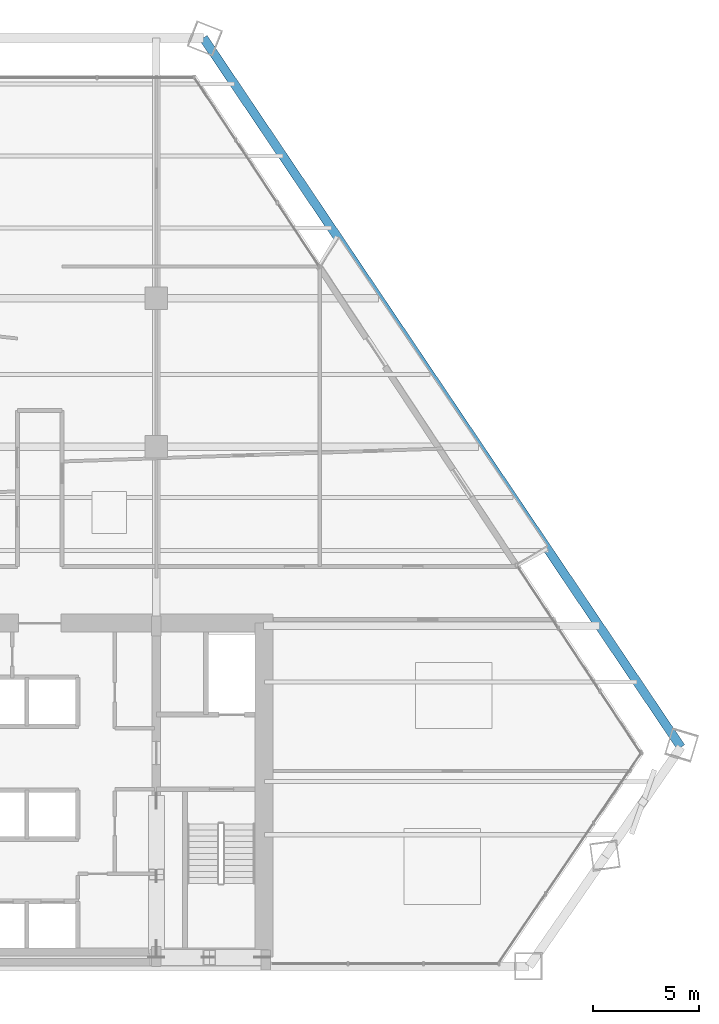
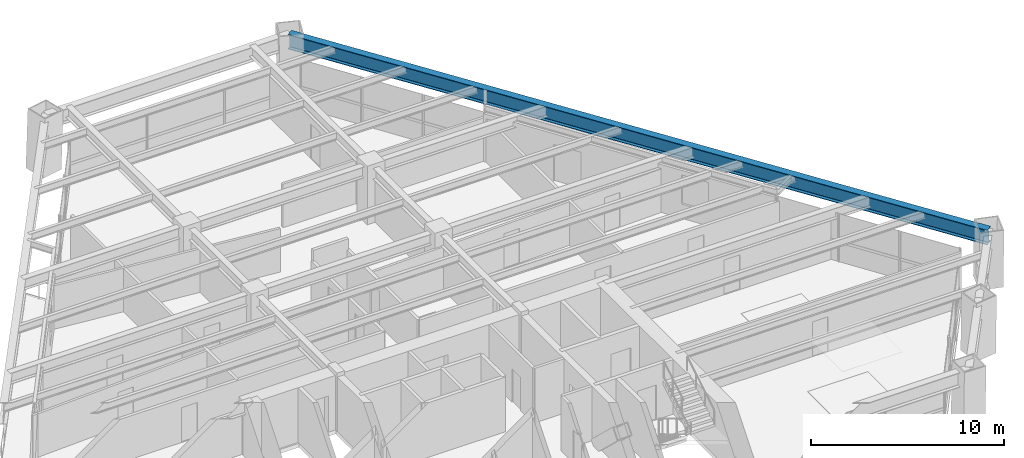
# One storey, part 7 of 14: 1 beam.
"""IFC4 building model written with IfcOpenShell, lengths in metres."""

from ifc_helpers import new_model, si_unit, direction, frame, origin, origin_2d, place, context, subcontext, project, spatial, i_section, extrude, source, transform, mapped, material, material_profile, profile_set, type_object, element, save


model = new_model("IFC4")

# Units and contexts
model_context = context("Model", 3, precision=1e-05, world=origin(), true_north=direction((0.0, 1.0)))
body_context = subcontext(model_context, "Body", "Model", "MODEL_VIEW")
ifc_project = project(units=[si_unit("LENGTHUNIT", "METRE"), si_unit("AREAUNIT", "SQUARE_METRE"), si_unit("VOLUMEUNIT", "CUBIC_METRE"), si_unit("PLANEANGLEUNIT", "RADIAN"), si_unit("MASSUNIT", "GRAM", prefix="KILO")], contexts=[model_context])

# Site, building, storey
site_placement = place(None, origin())
site = spatial("IfcSite", under=ifc_project, at=site_placement, CompositionType="ELEMENT")
building_placement = place(site_placement, origin())
building = spatial("IfcBuilding", under=site, at=building_placement, Name="Varnakhor Terracotta Tower", CompositionType="ELEMENT")
storey_placement = place(building_placement, frame((0.0, 0.0, 64.5)))
storey = spatial("IfcBuildingStorey", under=building, at=storey_placement, Name="L15", CompositionType="ELEMENT", Elevation=64.5)

# Beam
ifc_material = material(Name="Steel S355", Category="steel")
ifc_material_profile = material_profile(ifc_material, i_section(OverallWidth=0.41796875, OverallDepth=0.927001953125, WebThickness=0.01904296875, FlangeThickness=0.031982421875, FilletRadius=0.01806640625, at=origin_2d()), Name="W36X231")
ifc_profile_set = profile_set([ifc_material_profile], Name="Steel S355")
beam_type = type_object("IfcBeamType", Name="BM-W36X231", PredefinedType="BEAM", material=ifc_profile_set)
shared_shape = source(origin(), body_context, "Body", "SweptSolid", [
    extrude(i_section(OverallWidth=0.41796875, OverallDepth=0.927001953125, WebThickness=0.01904296875, FlangeThickness=0.031982421875, FilletRadius=0.01806640625, at=origin_2d()), origin(), (0.0, 0.0, 1.0), 40.319091796875),
])
beam_placement = place(storey_placement, frame((30.23828125, 10.3310546875, 2.986572265625), z_axis=(-0.558538401395, 0.829478664082, 0.0), x_axis=(-0.829478664082, -0.558538401395, 0.0)))
element("IfcBeam", 1, at=beam_placement, inside=storey, type_object=beam_type, Name="L15 Perimeter Spandrel 4", PredefinedType="BEAM", context=body_context, shape_type="MappedRepresentation", body=[
    mapped(shared_shape, transform((0.0, 0.0, 0.0), scale=1.0)),
])

save(model, "model.ifc")
